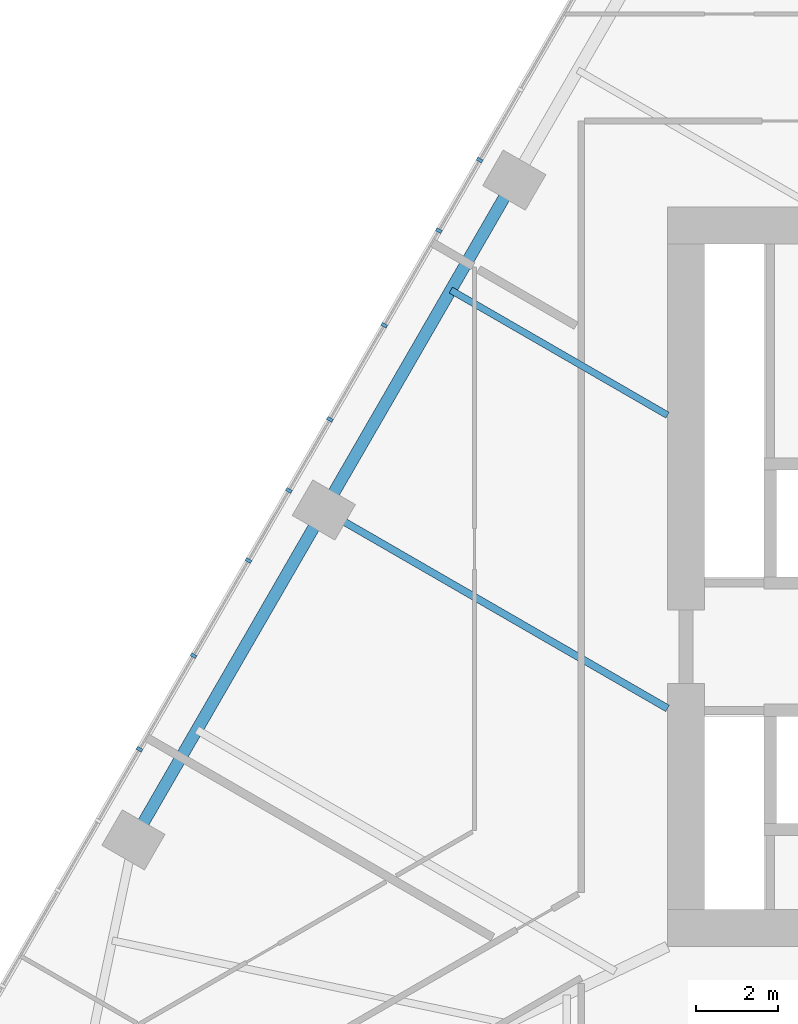
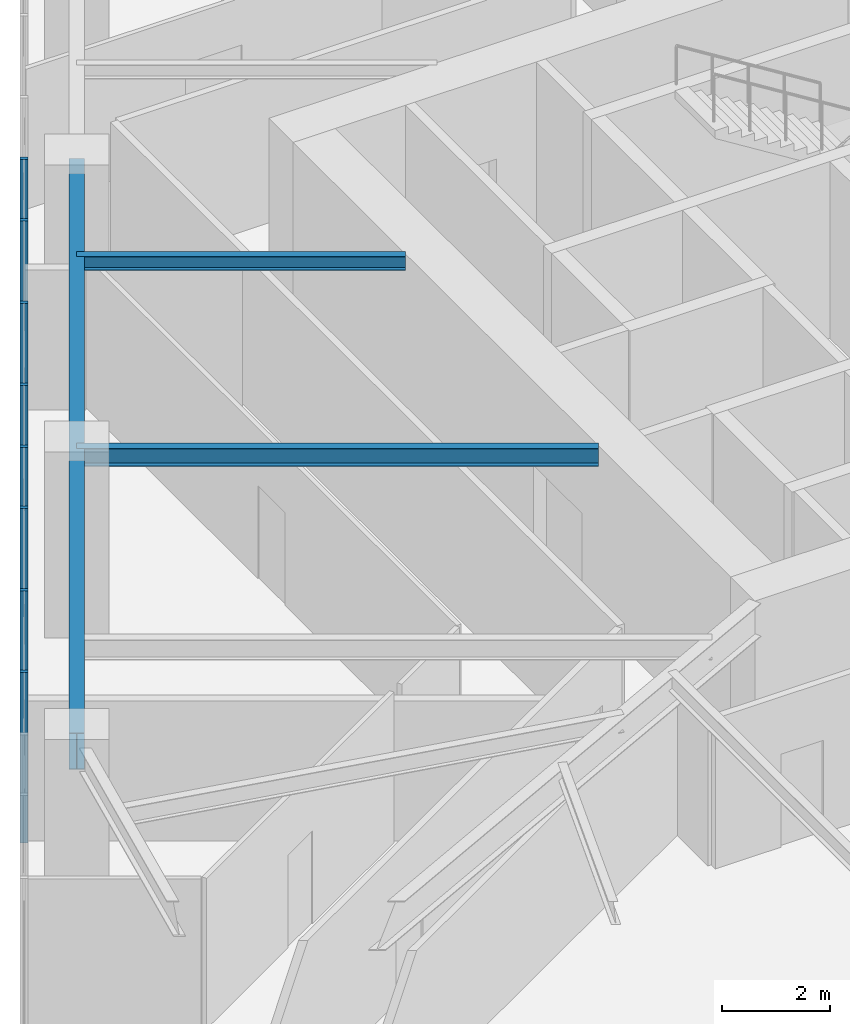
# One storey, part 4 of 22: 8 members, 3 beams, 1 element without a shape of its own.
"""IFC4 building model written with IfcOpenShell, lengths in metres."""

from ifc_helpers import new_model, si_unit, direction, frame, origin, origin_2d, place, context, subcontext, project, spatial, rectangle, i_section, extrude, material, layer, layer_set, material_profile, profile_set, type_object, element, aggregate, save


model = new_model("IFC4")

# Units and contexts
model_context = context("Model", 3, precision=1e-05, world=origin(), true_north=direction((0.0, 1.0)))
body_context = subcontext(model_context, "Body", "Model", "MODEL_VIEW")
ifc_project = project(units=[si_unit("LENGTHUNIT", "METRE"), si_unit("AREAUNIT", "SQUARE_METRE"), si_unit("VOLUMEUNIT", "CUBIC_METRE"), si_unit("PLANEANGLEUNIT", "RADIAN"), si_unit("MASSUNIT", "GRAM", prefix="KILO")], contexts=[model_context])

# Site, building, storey
site_placement = place(None, origin())
site = spatial("IfcSite", under=ifc_project, at=site_placement, CompositionType="ELEMENT")
building_placement = place(site_placement, origin())
building = spatial("IfcBuilding", under=site, at=building_placement, Name="Firuza Gate Tower and Library", CompositionType="ELEMENT")
storey_placement = place(building_placement, frame((0.0, 0.0, 132.39990234375)))
storey = spatial("IfcBuildingStorey", under=building, at=storey_placement, Name="L30", CompositionType="ELEMENT", Elevation=132.39990234375)

# Curtain wall, members
ifc_material_1 = material(Name="Aluminium 6063-T6", Category="aluminium")
ifc_layer = layer(ifc_material_1, 0.14990234375)
ifc_layer_set = layer_set([ifc_layer], Name="Unitised curtain wall, offices")
curtain_wall_type = type_object("IfcCurtainWallType", Name="Unitised curtain wall, offices", PredefinedType="NOTDEFINED", material=ifc_layer_set)
curtain_wall_placement = place(storey_placement, origin())
curtain_wall = element("IfcCurtainWall", 1, at=curtain_wall_placement, inside=storey, type_object=curtain_wall_type, Name="CW1 L30 W face", PredefinedType="NOTDEFINED")
ifc_material_2 = material(Name="Aluminium 6063-T6", Category="aluminium")
ifc_material_profile_1 = material_profile(ifc_material_2, rectangle(XDim=0.14990234375, YDim=0.080078125, at=origin_2d()))
ifc_profile_set_1 = profile_set([ifc_material_profile_1], Name="Aluminium 6063-T6")
member_type = type_object("IfcMemberType", Name="Curtain wall mullion 80x150", PredefinedType="MULLION", material=ifc_profile_set_1)
member_1_placement = place(storey_placement, frame((57.426513671875, 85.14599609375, 0.150146484375), z_axis=(0.0, 0.0, 1.0), x_axis=(0.866025403784, -0.5, 0.0)))
member_1 = element("IfcMember", 2, at=member_1_placement, type_object=member_type, Name="Mullion", PredefinedType="MULLION", context=body_context, shape_type="SweptSolid", body=[
    extrude(rectangle(XDim=0.14990234375, YDim=0.080078125, at=origin_2d()), origin(), (0.0, 0.0, 1.0), 3.849853515625),
])
member_2_placement = place(storey_placement, frame((55.10498046875, 81.124755859375, 0.150146484375), z_axis=(0.0, 0.0, 1.0), x_axis=(0.866025403784, -0.5, 0.0)))
member_2 = element("IfcMember", 3, at=member_2_placement, type_object=member_type, Name="Mullion", PredefinedType="MULLION", context=body_context, shape_type="SweptSolid", body=[
    extrude(rectangle(XDim=0.14990234375, YDim=0.080078125, at=origin_2d()), origin(), (0.0, 0.0, 1.0), 3.849853515625),
])
member_3_placement = place(storey_placement, frame((52.783203125, 77.103515625, 0.150146484375), z_axis=(0.0, 0.0, 1.0), x_axis=(0.866025403784, -0.5, 0.0)))
member_3 = element("IfcMember", 4, at=member_3_placement, type_object=member_type, Name="Mullion", PredefinedType="MULLION", context=body_context, shape_type="SweptSolid", body=[
    extrude(rectangle(XDim=0.14990234375, YDim=0.080078125, at=origin_2d()), origin(), (0.0, 0.0, 1.0), 3.849853515625),
])
member_4_placement = place(storey_placement, frame((50.461669921875, 73.082275390625, 0.150146484375), z_axis=(0.0, 0.0, 1.0), x_axis=(0.866025403784, -0.5, 0.0)))
member_4 = element("IfcMember", 5, at=member_4_placement, type_object=member_type, Name="Mullion", PredefinedType="MULLION", context=body_context, shape_type="SweptSolid", body=[
    extrude(rectangle(XDim=0.14990234375, YDim=0.080078125, at=origin_2d()), origin(), (0.0, 0.0, 1.0), 3.849853515625),
])
member_5_placement = place(storey_placement, frame((56.434814453125, 83.427978515625, 0.150146484375), z_axis=(0.0, 0.0, 1.0), x_axis=(0.866025403784, -0.5, 0.0)))
member_5 = element("IfcMember", 6, at=member_5_placement, type_object=member_type, Name="Mullion", PredefinedType="MULLION", context=body_context, shape_type="SweptSolid", body=[
    extrude(rectangle(XDim=0.14990234375, YDim=0.080078125, at=origin_2d()), origin(), (0.0, 0.0, 1.0), 3.849853515625),
])
member_6_placement = place(storey_placement, frame((53.7822265625, 78.833984375, 0.150146484375), z_axis=(0.0, 0.0, 1.0), x_axis=(0.866025403784, -0.5, 0.0)))
member_6 = element("IfcMember", 7, at=member_6_placement, type_object=member_type, Name="Mullion", PredefinedType="MULLION", context=body_context, shape_type="SweptSolid", body=[
    extrude(rectangle(XDim=0.14990234375, YDim=0.080078125, at=origin_2d()), origin(), (0.0, 0.0, 1.0), 3.849853515625),
])
member_7_placement = place(storey_placement, frame((51.798583984375, 75.39794921875, 0.150146484375), z_axis=(0.0, 0.0, 1.0), x_axis=(0.866025403784, -0.5, 0.0)))
member_7 = element("IfcMember", 8, at=member_7_placement, type_object=member_type, Name="Mullion", PredefinedType="MULLION", context=body_context, shape_type="SweptSolid", body=[
    extrude(rectangle(XDim=0.14990234375, YDim=0.080078125, at=origin_2d()), origin(), (0.0, 0.0, 1.0), 3.849853515625),
])
member_8_placement = place(storey_placement, frame((49.146240234375, 70.803955078125, 0.150146484375), z_axis=(0.0, 0.0, 1.0), x_axis=(0.866025403784, -0.5, 0.0)))
member_8 = element("IfcMember", 9, at=member_8_placement, type_object=member_type, Name="Mullion", PredefinedType="MULLION", context=body_context, shape_type="SweptSolid", body=[
    extrude(rectangle(XDim=0.14990234375, YDim=0.080078125, at=origin_2d()), origin(), (0.0, 0.0, 1.0), 3.849853515625),
])
aggregate(curtain_wall, [member_1, member_2, member_3, member_4, member_5, member_6, member_7, member_8])

# Beams
ifc_material_3 = material(Name="Steel S355", Category="steel")
ifc_material_profile_2 = material_profile(ifc_material_3, i_section(OverallWidth=0.1650390625, OverallDepth=0.31005859375, WebThickness=0.005859375, FlangeThickness=0.009765625, at=origin_2d()))
ifc_profile_set_2 = profile_set([ifc_material_profile_2], Name="Steel S355")
beam_type_1 = type_object("IfcBeamType", Name="W310x39 Floor beam", PredefinedType="JOIST", material=ifc_profile_set_2)
beam_1_placement = place(storey_placement, frame((56.7255859375, 81.98193359375, 3.84521484375), z_axis=(0.866026709368, -0.499997738657, 0.0), x_axis=(0.499997738657, 0.866026709368, 0.0)))
element("IfcBeam", 10, at=beam_1_placement, inside=storey, type_object=beam_type_1, Name="Floor beam L30 s83", PredefinedType="JOIST", context=body_context, shape_type="SweptSolid", body=[
    extrude(i_section(OverallWidth=0.1650390625, OverallDepth=0.31005859375, WebThickness=0.005859375, FlangeThickness=0.009765625, at=origin_2d()), origin(), (0.0, 0.0, 1.0), 6.09033203125),
])
ifc_material_4 = material(Name="Steel S355", Category="steel")
ifc_material_profile_3 = material_profile(ifc_material_4, i_section(OverallWidth=0.177978515625, OverallDepth=0.406982421875, WebThickness=0.0078125, FlangeThickness=0.0126953125, at=origin_2d()))
ifc_profile_set_3 = profile_set([ifc_material_profile_3], Name="Steel S355")
beam_type_2 = type_object("IfcBeamType", Name="W410x60 Floor beam", PredefinedType="JOIST", material=ifc_profile_set_3)
beam_2_placement = place(storey_placement, frame((53.634765625, 76.62841796875, 3.796630859375), z_axis=(0.866029011319, -0.499993751515, 0.0), x_axis=(0.499993751515, 0.866029011319, 0.0)))
element("IfcBeam", 11, at=beam_2_placement, inside=storey, type_object=beam_type_2, Name="Floor beam L30 s84", PredefinedType="JOIST", context=body_context, shape_type="SweptSolid", body=[
    extrude(i_section(OverallWidth=0.177978515625, OverallDepth=0.406982421875, WebThickness=0.0078125, FlangeThickness=0.0126953125, at=origin_2d()), origin(), (0.0, 0.0, 1.0), 9.6591796875),
])
ifc_material_5 = material(Name="Steel S355", Category="steel")
ifc_material_profile_4 = material_profile(ifc_material_5, i_section(OverallWidth=0.2919921875, OverallDepth=0.8349609375, WebThickness=0.013916015625, FlangeThickness=0.018798828125, at=origin_2d()))
ifc_profile_set_4 = profile_set([ifc_material_profile_4], Name="Steel S355")
beam_type_3 = type_object("IfcBeamType", Name="W840x176 Edge beam", PredefinedType="SPANDREL", material=ifc_profile_set_4)
beam_3_placement = place(storey_placement, frame((58.27099609375, 84.658447265625, 3.58251953125), z_axis=(-0.499997478145, -0.866026859773, 0.0), x_axis=(0.866026859773, -0.499997478145, 0.0)))
element("IfcBeam", 12, at=beam_3_placement, inside=storey, type_object=beam_type_3, Name="Edge beam L30 e82", PredefinedType="SPANDREL", context=body_context, shape_type="SweptSolid", body=[
    extrude(i_section(OverallWidth=0.2919921875, OverallDepth=0.8349609375, WebThickness=0.013916015625, FlangeThickness=0.018798828125, at=origin_2d()), origin(), (0.0, 0.0, 1.0), 18.54443359375),
])

save(model, "model.ifc")
